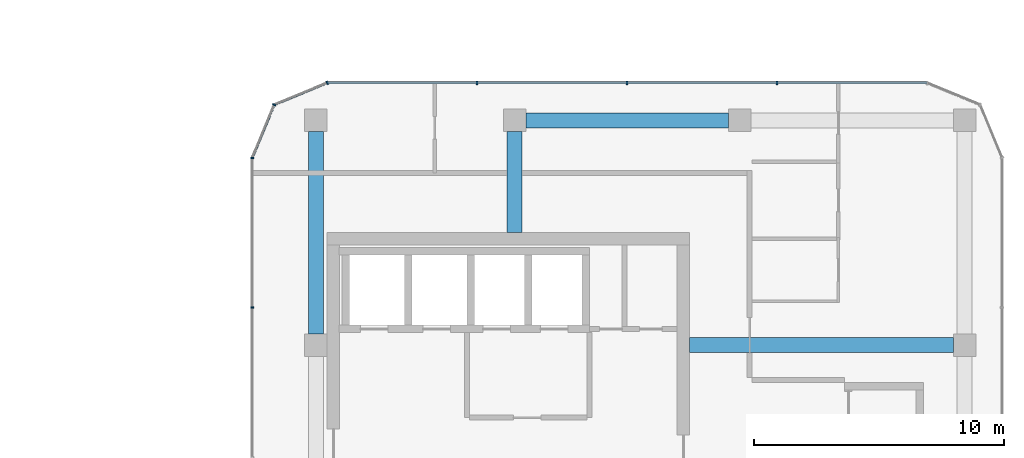
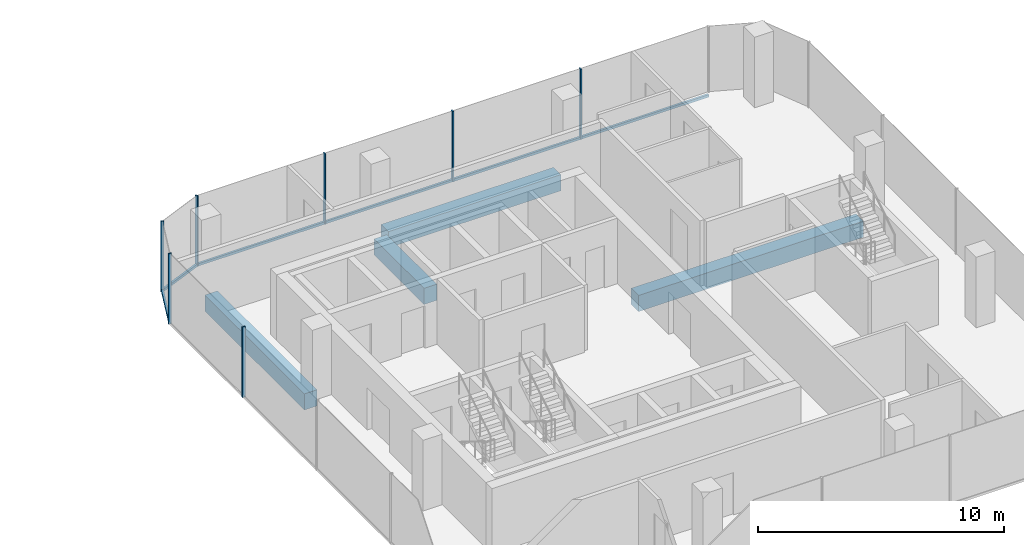
# One storey, part 10 of 24: 10 members, 4 beams, 4 elements without a shape of their own.
"""IFC4 building model written with IfcOpenShell, lengths in metres."""

from ifc_helpers import new_model, si_unit, direction, frame, origin, origin_2d, place, context, subcontext, project, spatial, rectangle, extrude, material, layer, layer_set, material_profile, profile_set, type_object, element, aggregate, save


model = new_model("IFC4")

# Units and contexts
model_context = context("Model", 3, precision=1e-05, world=origin(), true_north=direction((0.0, 1.0)))
body_context = subcontext(model_context, "Body", "Model", "MODEL_VIEW")
ifc_project = project(units=[si_unit("LENGTHUNIT", "METRE"), si_unit("AREAUNIT", "SQUARE_METRE"), si_unit("VOLUMEUNIT", "CUBIC_METRE"), si_unit("PLANEANGLEUNIT", "RADIAN"), si_unit("MASSUNIT", "GRAM", prefix="KILO")], contexts=[model_context])

# Site, building, storey
site_placement = place(None, origin())
site = spatial("IfcSite", under=ifc_project, at=site_placement, CompositionType="ELEMENT")
building_placement = place(site_placement, origin())
building = spatial("IfcBuilding", under=site, at=building_placement, Name="Plateau Cross Towers", CompositionType="ELEMENT")
storey_placement = place(building_placement, frame((0.0, 0.0, 44.300048828125)))
storey = spatial("IfcBuildingStorey", under=building, at=storey_placement, Name="L10", CompositionType="ELEMENT", Elevation=44.300048828125)

# Beams
ifc_material_1 = material(Name="Concrete C60/75", Category="concrete")
ifc_material_profile_1 = material_profile(ifc_material_1, rectangle(XDim=0.60009765625, YDim=0.800048828125, at=origin_2d()), Name="RC 600x800")
ifc_profile_set_1 = profile_set([ifc_material_profile_1], Name="Concrete C60/75")
beam_type_1 = type_object("IfcBeamType", Name="Core beam RC 600x800", PredefinedType="BEAM", material=ifc_profile_set_1)
beam_1_placement = place(storey_placement, frame((89.5, 13.5, -0.650146484375), z_axis=(1.0, 0.0, 0.0), x_axis=(0.0, 1.0, 0.0)))
element("IfcBeam", 1, at=beam_1_placement, inside=storey, type_object=beam_type_1, Name="B-CB03@L10", PredefinedType="BEAM", context=body_context, shape_type="SweptSolid", body=[
    extrude(rectangle(XDim=0.60009765625, YDim=0.800048828125, at=origin_2d()), origin(), (0.0, 0.0, 1.0), 10.550048828125),
])
beam_2_placement = place(storey_placement, frame((82.5, 18.0, -0.650146484375), z_axis=(0.0, 1.0, 0.0), x_axis=(-1.0, 0.0, 0.0)))
element("IfcBeam", 2, at=beam_2_placement, inside=storey, type_object=beam_type_1, Name="B-CB04@L10", PredefinedType="BEAM", context=body_context, shape_type="SweptSolid", body=[
    extrude(rectangle(XDim=0.60009765625, YDim=0.800048828125, at=origin_2d()), origin(), (0.0, 0.0, 1.0), 4.050048828125),
])

# Curtain wall, members
ifc_material_2 = material(Name="Dark low-iron glass", Category="glass")
ifc_layer = layer(ifc_material_2, 0.239990234375)
ifc_layer_set = layer_set([ifc_layer], Name="Dark low-iron glass")
curtain_wall_type = type_object("IfcCurtainWallType", Name="Curtain wall office unitised CW-F", PredefinedType="NOTDEFINED", material=ifc_layer_set)
curtain_wall_1_placement = place(storey_placement, origin())
curtain_wall_1 = element("IfcCurtainWall", 3, at=curtain_wall_1_placement, inside=storey, type_object=curtain_wall_type, Name="ENV/B/L10/B990_240", PredefinedType="NOTDEFINED")
ifc_material_3 = material(Name="Black anodised aluminium", Category="aluminium")
ifc_material_profile_2 = material_profile(ifc_material_3, rectangle(XDim=0.06005859375, YDim=0.139892578125, at=origin_2d()), Name="MULLION 60x140")
ifc_profile_set_2 = profile_set([ifc_material_profile_2], Name="Black anodised aluminium")
member_type_1 = type_object("IfcMemberType", Name="Mullion 60x140 office unitised", PredefinedType="MULLION", material=ifc_profile_set_2)
member_1_placement = place(storey_placement, frame((93.0, 24.0, -0.25), z_axis=(0.0, 0.0, 1.0), x_axis=(-1.0, 0.0, 0.0)))
member_1 = element("IfcMember", 4, at=member_1_placement, type_object=member_type_1, Name="CW-F mullion 2", PredefinedType="MULLION", context=body_context, shape_type="SweptSolid", body=[
    extrude(rectangle(XDim=0.06005859375, YDim=0.139892578125, at=origin_2d()), origin(), (0.0, 0.0, 1.0), 3.5),
])
member_2_placement = place(storey_placement, frame((87.0, 24.0, -0.25), z_axis=(0.0, 0.0, 1.0), x_axis=(-1.0, 0.0, 0.0)))
member_2 = element("IfcMember", 5, at=member_2_placement, type_object=member_type_1, Name="CW-F mullion 3", PredefinedType="MULLION", context=body_context, shape_type="SweptSolid", body=[
    extrude(rectangle(XDim=0.06005859375, YDim=0.139892578125, at=origin_2d()), origin(), (0.0, 0.0, 1.0), 3.5),
])
member_3_placement = place(storey_placement, frame((81.0, 24.0, -0.25), z_axis=(0.0, 0.0, 1.0), x_axis=(-1.0, 0.0, 0.0)))
member_3 = element("IfcMember", 6, at=member_3_placement, type_object=member_type_1, Name="CW-F mullion 4", PredefinedType="MULLION", context=body_context, shape_type="SweptSolid", body=[
    extrude(rectangle(XDim=0.06005859375, YDim=0.139892578125, at=origin_2d()), origin(), (0.0, 0.0, 1.0), 3.5),
])

# Curtain wall, member
curtain_wall_2_placement = place(storey_placement, origin())
curtain_wall_2 = element("IfcCurtainWall", 7, at=curtain_wall_2_placement, inside=storey, type_object=curtain_wall_type, Name="ENV/B/L10/B750_240", PredefinedType="NOTDEFINED")
member_4_placement = place(storey_placement, frame((75.0, 24.0, -0.25), z_axis=(0.0, 0.0, 1.0), x_axis=(-0.923879457699, -0.382683612978, 0.0)))
member_4 = element("IfcMember", 8, at=member_4_placement, type_object=member_type_1, Name="CW-F mullion 1", PredefinedType="MULLION", context=body_context, shape_type="SweptSolid", body=[
    extrude(rectangle(XDim=0.06005859375, YDim=0.139892578125, at=origin_2d()), origin(), (0.0, 0.0, 1.0), 3.5),
])

curtain_wall_3_placement = place(storey_placement, origin())
curtain_wall_3 = element("IfcCurtainWall", 9, at=curtain_wall_3_placement, inside=storey, type_object=curtain_wall_type, Name="ENV/B/L10/B729_231", PredefinedType="NOTDEFINED")
member_5_placement = place(storey_placement, frame((72.878662109375, 23.121337890625, -0.25), z_axis=(0.0, 0.0, 1.0), x_axis=(-0.382683612978, -0.923879457699, 0.0)))
member_5 = element("IfcMember", 10, at=member_5_placement, type_object=member_type_1, Name="CW-F mullion 1", PredefinedType="MULLION", context=body_context, shape_type="SweptSolid", body=[
    extrude(rectangle(XDim=0.06005859375, YDim=0.139892578125, at=origin_2d()), origin(), (0.0, 0.0, 1.0), 3.5),
])

# Curtain wall, members
curtain_wall_4_placement = place(storey_placement, origin())
curtain_wall_4 = element("IfcCurtainWall", 11, at=curtain_wall_4_placement, inside=storey, type_object=curtain_wall_type, Name="ENV/B/L10/B720_210", PredefinedType="NOTDEFINED")
member_6_placement = place(storey_placement, frame((72.0, 21.0, -0.25), z_axis=(0.0, 0.0, 1.0), x_axis=(0.0, -1.0, 0.0)))
member_6 = element("IfcMember", 12, at=member_6_placement, type_object=member_type_1, Name="CW-F mullion 1", PredefinedType="MULLION", context=body_context, shape_type="SweptSolid", body=[
    extrude(rectangle(XDim=0.06005859375, YDim=0.139892578125, at=origin_2d()), origin(), (0.0, 0.0, 1.0), 3.5),
])
member_7_placement = place(storey_placement, frame((72.0, 15.0, -0.25), z_axis=(0.0, 0.0, 1.0), x_axis=(0.0, -1.0, 0.0)))
member_7 = element("IfcMember", 13, at=member_7_placement, type_object=member_type_1, Name="CW-F mullion 2", PredefinedType="MULLION", context=body_context, shape_type="SweptSolid", body=[
    extrude(rectangle(XDim=0.06005859375, YDim=0.139892578125, at=origin_2d()), origin(), (0.0, 0.0, 1.0), 3.5),
])
aggregate(curtain_wall_4, [member_6, member_7])

# Beams
ifc_material_profile_3 = material_profile(ifc_material_1, rectangle(XDim=0.60009765625, YDim=0.800048828125, at=origin_2d()), Name="RC 600x800")
ifc_profile_set_3 = profile_set([ifc_material_profile_3], Name="Concrete C60/75")
beam_type_2 = type_object("IfcBeamType", Name="Ring beam RC 600x800", PredefinedType="BEAM", material=ifc_profile_set_3)
for number, where, z_axis, x_axis, name in (
    (14, (91.050048828125, 22.5, -0.650146484375), (-1.0, 0.0, 0.0), (0.0, -1.0, 0.0), "B-RB07@L10"),
    (15, (74.550048828125, 22.050048828125, -0.650146484375), (0.0, -1.0, 0.0), (1.0, 0.0, 0.0), "B-RB08@L10"),
):
    element("IfcBeam", number, at=place(storey_placement, frame(where, z_axis=z_axis, x_axis=x_axis)), inside=storey, type_object=beam_type_2, Name=name, PredefinedType="BEAM", context=body_context, shape_type="SweptSolid", body=[
        extrude(rectangle(XDim=0.60009765625, YDim=0.800048828125, at=origin_2d()), origin(), (0.0, 0.0, 1.0), 8.10009765625),
    ])

# Member
ifc_material_profile_4 = material_profile(ifc_material_3, rectangle(XDim=0.10009765625, YDim=0.1201171875, at=origin_2d()), Name="TRANSOM 100x120")
ifc_profile_set_4 = profile_set([ifc_material_profile_4], Name="Black anodised aluminium")
member_type_2 = type_object("IfcMemberType", Name="Transom 100x120 office unitised", PredefinedType="USERDEFINED", material=ifc_profile_set_4)
member_8_placement = place(storey_placement, frame((99.0, 24.0, -0.18994140625), z_axis=(-1.0, 0.0, 0.0), x_axis=(0.0, -1.0, 0.0)))
member_8 = element("IfcMember", 16, at=member_8_placement, type_object=member_type_2, Name="CW-F transom", ObjectType="TRANSOM", PredefinedType="USERDEFINED", context=body_context, shape_type="SweptSolid", body=[
    extrude(rectangle(XDim=0.10009765625, YDim=0.1201171875, at=origin_2d()), origin(), (0.0, 0.0, 1.0), 24.0),
])

aggregate(curtain_wall_1, [member_1, member_2, member_3, member_8])

member_9_placement = place(storey_placement, frame((75.0, 24.0, -0.18994140625), z_axis=(-0.923883353507, -0.382674207535, 0.0), x_axis=(0.382674207535, -0.923883353507, 0.0)))
member_9 = element("IfcMember", 17, at=member_9_placement, type_object=member_type_2, Name="CW-F transom", ObjectType="TRANSOM", PredefinedType="USERDEFINED", context=body_context, shape_type="SweptSolid", body=[
    extrude(rectangle(XDim=0.10009765625, YDim=0.1201171875, at=origin_2d()), origin(), (0.0, 0.0, 1.0), 2.296142578125),
])

aggregate(curtain_wall_2, [member_4, member_9])

member_10_placement = place(storey_placement, frame((72.878662109375, 23.121337890625, -0.18994140625), z_axis=(-0.382674207535, -0.923883353507, 0.0), x_axis=(0.923883353507, -0.382674207535, 0.0)))
member_10 = element("IfcMember", 18, at=member_10_placement, type_object=member_type_2, Name="CW-F transom", ObjectType="TRANSOM", PredefinedType="USERDEFINED", context=body_context, shape_type="SweptSolid", body=[
    extrude(rectangle(XDim=0.10009765625, YDim=0.1201171875, at=origin_2d()), origin(), (0.0, 0.0, 1.0), 2.296142578125),
])

aggregate(curtain_wall_3, [member_5, member_10])

save(model, "model.ifc")
